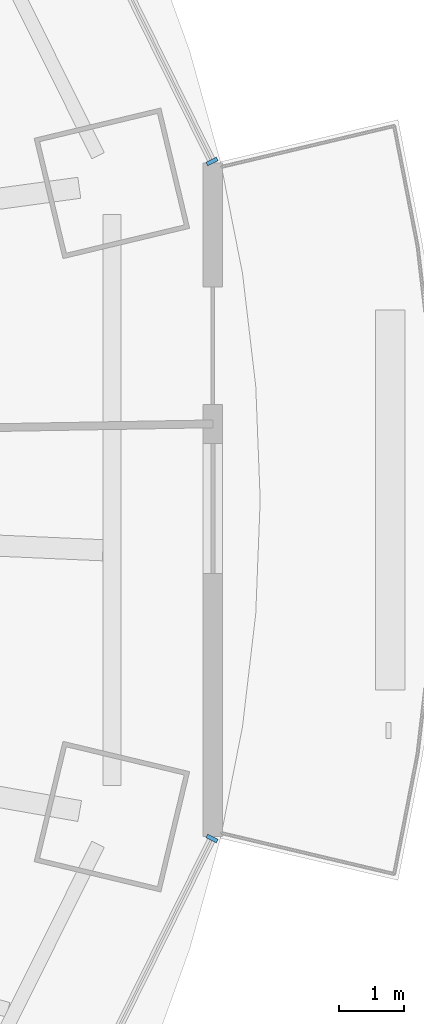
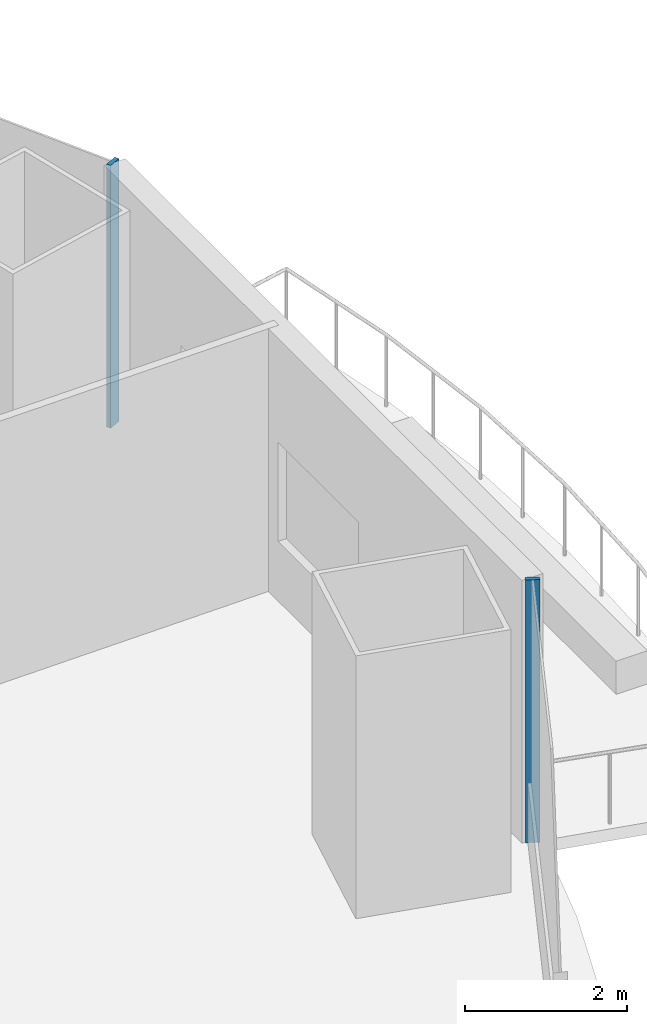
# One storey, part 10 of 21: 2 members, 2 elements without a shape of their own.
"""IFC4 building model written with IfcOpenShell, lengths in metres."""

from ifc_helpers import new_model, si_unit, direction, frame, origin, origin_2d, place, context, subcontext, project, spatial, rectangle, extrude, material, material_profile, profile_set, type_object, element, aggregate, save


model = new_model("IFC4")

# Units and contexts
model_context = context("Model", 3, precision=1e-05, world=origin(), true_north=direction((0.0, 1.0)))
body_context = subcontext(model_context, "Body", "Model", "MODEL_VIEW")
ifc_project = project(units=[si_unit("LENGTHUNIT", "METRE"), si_unit("AREAUNIT", "SQUARE_METRE"), si_unit("VOLUMEUNIT", "CUBIC_METRE"), si_unit("PLANEANGLEUNIT", "RADIAN"), si_unit("MASSUNIT", "GRAM", prefix="KILO")], contexts=[model_context])

# Site, building, storey
site_placement = place(None, origin())
site = spatial("IfcSite", under=ifc_project, at=site_placement, CompositionType="ELEMENT")
building_placement = place(site_placement, origin())
building = spatial("IfcBuilding", under=site, at=building_placement, Name="Marenthal Gate Tower", CompositionType="ELEMENT")
storey_placement = place(building_placement, frame((0.0, 0.0, 202.550048828125)))
storey = spatial("IfcBuildingStorey", under=building, at=storey_placement, Name="L44", CompositionType="ELEMENT", Elevation=202.550048828125)

# Curtain wall, member
ifc_material_1 = material(Name="Aluminium and glass", Category="aluminium")
curtain_wall_type = type_object("IfcCurtainWallType", Name="Curtain wall typical mid", PredefinedType="NOTDEFINED", material=ifc_material_1)
curtain_wall_1_placement = place(storey_placement, origin())
curtain_wall_1 = element("IfcCurtainWall", 1, at=curtain_wall_1_placement, inside=storey, type_object=curtain_wall_type, Name="Curtain wall L44 bay 1", PredefinedType="NOTDEFINED")
ifc_material_2 = material(Name="Aluminium", Category="aluminium")
ifc_material_profile = material_profile(ifc_material_2, rectangle(XDim=0.179931640625, YDim=0.06005859375, at=origin_2d()), Name="60x180 aluminium mullion")
ifc_profile_set = profile_set([ifc_material_profile], Name="Aluminium")
member_type = type_object("IfcMemberType", Name="Mullion 60x180 typical mid", PredefinedType="MULLION", material=ifc_profile_set)
member_1_placement = place(storey_placement, frame((32.752197265625, 4.595703125, 0.0), z_axis=(0.0, 0.0, 1.0), x_axis=(-0.896715617309, -0.442607164057, 0.0)))
member_1 = element("IfcMember", 2, at=member_1_placement, type_object=member_type, Name="Mullion L44 bay 1.1", PredefinedType="MULLION", context=body_context, shape_type="SweptSolid", body=[
    extrude(rectangle(XDim=0.179931640625, YDim=0.06005859375, at=origin_2d()), origin(), (0.0, 0.0, 1.0), 3.969970703125),
])
aggregate(curtain_wall_1, [member_1])

curtain_wall_2_placement = place(storey_placement, origin())
curtain_wall_2 = element("IfcCurtainWall", 3, at=curtain_wall_2_placement, inside=storey, type_object=curtain_wall_type, Name="Curtain wall L44 bay 15", PredefinedType="NOTDEFINED")
member_2_placement = place(storey_placement, frame((32.752197265625, -5.7958984375, 0.0), z_axis=(0.0, 0.0, 1.0), x_axis=(-0.896715617309, 0.442607164057, 0.0)))
member_2 = element("IfcMember", 4, at=member_2_placement, type_object=member_type, Name="Mullion L44 bay 15.3", PredefinedType="MULLION", context=body_context, shape_type="SweptSolid", body=[
    extrude(rectangle(XDim=0.179931640625, YDim=0.06005859375, at=origin_2d()), origin(), (0.0, 0.0, 1.0), 3.969970703125),
])
aggregate(curtain_wall_2, [member_2])

save(model, "model.ifc")
